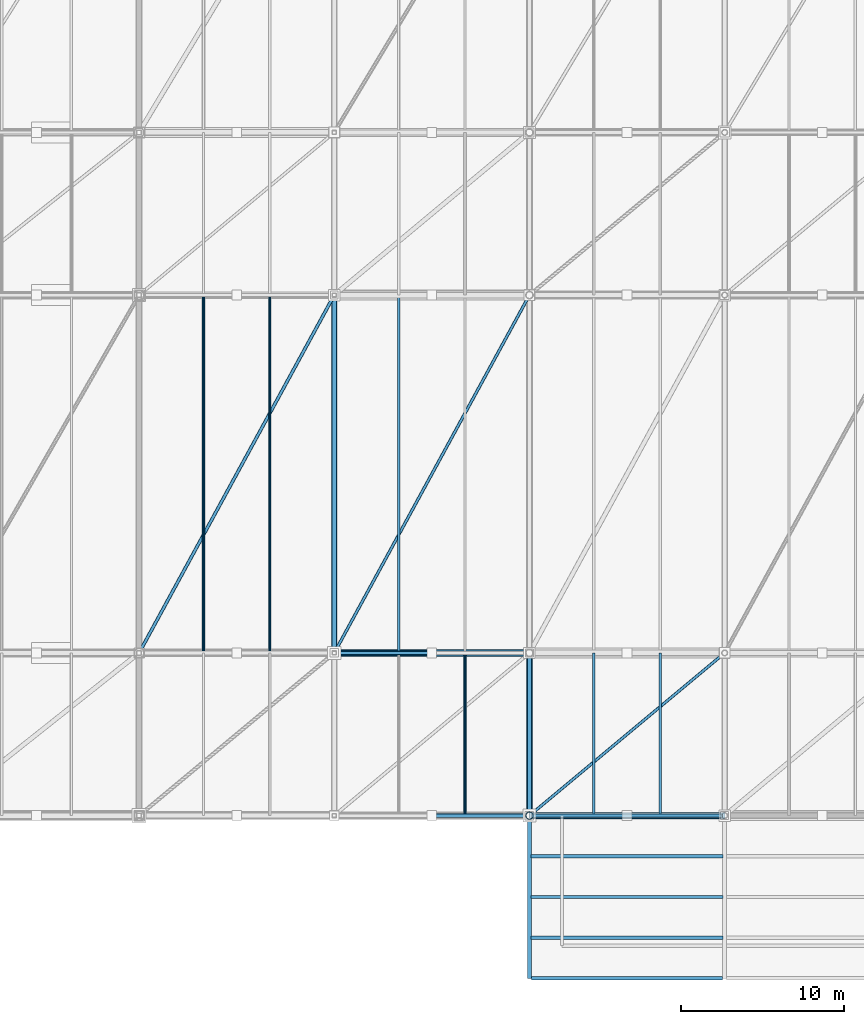
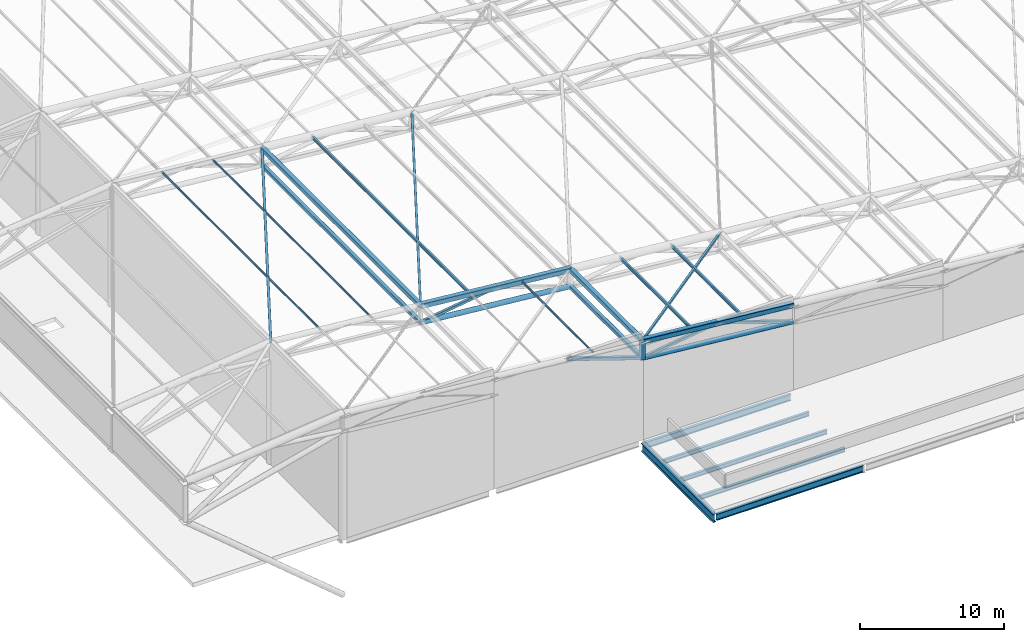
# One storey, part 8 of 44: 22 members, 6 beams.
"""IFC4 building model written with IfcOpenShell, lengths in metres."""

from ifc_helpers import new_model, si_unit, direction, frame, origin, origin_2d, place, context, subcontext, project, spatial, hollow_rectangle, hollow_circle, i_section, extrude, material, material_profile, profile_set, type_object, element, save


model = new_model("IFC4")

# Units and contexts
model_context = context("Model", 3, precision=1e-05, world=origin(), true_north=direction((0.0, 1.0)))
body_context = subcontext(model_context, "Body", "Model", "MODEL_VIEW")
ifc_project = project(units=[si_unit("LENGTHUNIT", "METRE"), si_unit("AREAUNIT", "SQUARE_METRE"), si_unit("VOLUMEUNIT", "CUBIC_METRE"), si_unit("PLANEANGLEUNIT", "RADIAN"), si_unit("MASSUNIT", "GRAM", prefix="KILO")], contexts=[model_context])

# Site, building, storey
site_placement = place(None, origin())
site = spatial("IfcSite", under=ifc_project, at=site_placement, CompositionType="ELEMENT")
building_placement = place(site_placement, origin())
building = spatial("IfcBuilding", under=site, at=building_placement, Name="Brinegate Civic Arena", CompositionType="ELEMENT")
storey_placement = place(building_placement, frame((0.0, 0.0, 29.39990234375)))
storey = spatial("IfcBuildingStorey", under=building, at=storey_placement, Name="RF", CompositionType="ELEMENT", Elevation=29.39990234375)

# Beams
ifc_material = material(Name="Steel S355", Category="steel")
ifc_material_profile_1 = material_profile(ifc_material, i_section(OverallWidth=0.256103515625, OverallDepth=0.693115234375, WebThickness=0.014892578125, FlangeThickness=0.02392578125, FilletRadius=0.01806640625, at=origin_2d()), Name="W690X170")
ifc_profile_set_1 = profile_set([ifc_material_profile_1], Name="Steel S355")
beam_type_1 = type_object("IfcBeamType", Name="GIRDER-W690X170", PredefinedType="BEAM", material=ifc_profile_set_1)
beam_placement = place(storey_placement, frame((84.0, 0.0, -0.685791015625), z_axis=(0.0, 1.0, 0.0), x_axis=(-1.0, 0.0, 0.0)))
element("IfcBeam", 1, at=beam_placement, inside=storey, type_object=beam_type_1, Name="Portal Roof Girder PGY-20", PredefinedType="BEAM", context=body_context, shape_type="SweptSolid", body=[
    extrude(i_section(OverallWidth=0.256103515625, OverallDepth=0.693115234375, WebThickness=0.014892578125, FlangeThickness=0.02392578125, FilletRadius=0.01806640625, at=origin_2d()), origin(), (0.0, 0.0, 1.0), 10.0),
])
ifc_material_profile_2 = material_profile(ifc_material, i_section(OverallWidth=0.202880859375, OverallDepth=0.346923828125, WebThickness=0.008056640625, FlangeThickness=0.013916015625, FilletRadius=0.013916015625, at=origin_2d()), Name="W360X64")
ifc_profile_set_2 = profile_set([ifc_material_profile_2], Name="Steel S355")
beam_type_2 = type_object("IfcBeamType", Name="JOIST-W360X64", PredefinedType="JOIST", material=ifc_profile_set_2)
for number, where, z_axis, x_axis, name in (
    (2, (84.10791015625, 2.5, -0.512939453125), (1.0, 0.0, 0.0), (0.0, 1.0, 0.0), "Portal Roof Joist PJX-27"),
    (3, (84.10791015625, 5.0, -0.512939453125), (1.0, 0.0, 0.0), (0.0, 1.0, 0.0), "Portal Roof Joist PJX-28"),
    (4, (84.10791015625, 7.5, -0.512939453125), (1.0, 0.0, 0.0), (0.0, 1.0, 0.0), "Portal Roof Joist PJX-29"),
):
    element("IfcBeam", number, at=place(storey_placement, frame(where, z_axis=z_axis, x_axis=x_axis)), inside=storey, type_object=beam_type_2, Name=name, PredefinedType="JOIST", context=body_context, shape_type="SweptSolid", body=[
        extrude(i_section(OverallWidth=0.202880859375, OverallDepth=0.346923828125, WebThickness=0.008056640625, FlangeThickness=0.013916015625, FilletRadius=0.013916015625, at=origin_2d()), origin(), (0.0, 0.0, 1.0), 11.7841796875),
    ])

# Members
ifc_material_profile_3 = material_profile(ifc_material, hollow_circle(Radius=0.083984375, WallThickness=0.008056640625, at=origin_2d()), Name="CHS168X8")
ifc_profile_set_3 = profile_set([ifc_material_profile_3], Name="Steel S355")
member_type_1 = type_object("IfcMemberType", Name="RF-PURLIN-CHS168", PredefinedType="PURLIN", material=ifc_profile_set_3)
member_1_placement = place(storey_placement, frame((80.0400390625, 10.0, 8.7021484375), z_axis=(0.0, 1.0, 0.0), x_axis=(-1.0, 0.0, 0.0)))
element("IfcMember", 5, at=member_1_placement, inside=storey, type_object=member_type_1, Name="Roof Purlin RFP-006", PredefinedType="PURLIN", context=body_context, shape_type="SweptSolid", body=[
    extrude(hollow_circle(Radius=0.083984375, WallThickness=0.008056640625, at=origin_2d()), origin(), (0.0, 0.0, 1.0), 10.0),
])
for number, where, z_axis, x_axis, name in (
    (6, (63.9599609375, 20.0, 10.210205078125), (0.0, 1.0, 0.0), (-1.0, 0.0, 0.0), "Roof Purlin RFP-021"),
    (7, (68.0400390625, 20.0, 9.8271484375), (0.0, 1.0, 0.0), (-1.0, 0.0, 0.0), "Roof Purlin RFP-022"),
):
    element("IfcMember", number, at=place(storey_placement, frame(where, z_axis=z_axis, x_axis=x_axis)), inside=storey, type_object=member_type_1, Name=name, PredefinedType="PURLIN", context=body_context, shape_type="SweptSolid", body=[
        extrude(hollow_circle(Radius=0.083984375, WallThickness=0.008056640625, at=origin_2d()), origin(), (0.0, 0.0, 1.0), 22.0),
    ])
ifc_material_profile_4 = material_profile(ifc_material, i_section(OverallWidth=0.14794921875, OverallDepth=0.26611328125, WebThickness=0.008056640625, FlangeThickness=0.012939453125, FilletRadius=0.011962890625, at=origin_2d()), Name="W250X45")
ifc_profile_set_4 = profile_set([ifc_material_profile_4], Name="Steel S355")
member_type_2 = type_object("IfcMemberType", Name="RF-PURLIN-W250", PredefinedType="PURLIN", material=ifc_profile_set_4)
for number, where, z_axis, x_axis, name in (
    (8, (87.9599609375, 10.0, 7.9111328125), (0.0, 1.0, 0.0), (-1.0, 0.0, 0.0), "Roof Purlin RFP-007"),
    (9, (92.0400390625, 10.0, 7.528076171875), (0.0, 1.0, 0.0), (-1.0, 0.0, 0.0), "Roof Purlin RFP-008"),
):
    element("IfcMember", number, at=place(storey_placement, frame(where, z_axis=z_axis, x_axis=x_axis)), inside=storey, type_object=member_type_2, Name=name, PredefinedType="PURLIN", context=body_context, shape_type="SweptSolid", body=[
        extrude(i_section(OverallWidth=0.14794921875, OverallDepth=0.26611328125, WebThickness=0.008056640625, FlangeThickness=0.012939453125, FilletRadius=0.011962890625, at=origin_2d()), origin(), (0.0, 0.0, 1.0), 10.0),
    ])
member_2_placement = place(storey_placement, frame((75.9599609375, 20.0, 9.0361328125), z_axis=(0.0, 1.0, 0.0), x_axis=(-1.0, 0.0, 0.0)))
element("IfcMember", 10, at=member_2_placement, inside=storey, type_object=member_type_2, Name="Roof Purlin RFP-023", PredefinedType="PURLIN", context=body_context, shape_type="SweptSolid", body=[
    extrude(i_section(OverallWidth=0.14794921875, OverallDepth=0.26611328125, WebThickness=0.008056640625, FlangeThickness=0.012939453125, FilletRadius=0.011962890625, at=origin_2d()), origin(), (0.0, 0.0, 1.0), 22.0),
])
ifc_material_profile_5 = material_profile(ifc_material, hollow_rectangle(XDim=0.179931640625, YDim=0.179931640625, WallThickness=0.010009765625, InnerFilletRadius=0.010009765625, OuterFilletRadius=0.02001953125, at=origin_2d()), Name="SHS180X10")
ifc_profile_set_5 = profile_set([ifc_material_profile_5], Name="Steel S355")
member_type_3 = type_object("IfcMemberType", Name="SF-BRACE-SHS180", PredefinedType="BRACE", material=ifc_profile_set_5)
member_3_placement = place(storey_placement, frame((84.0, 10.0, 8.300048828125), z_axis=(0.766236619907, 0.638530516589, -0.071834683116), x_axis=(-0.640184399664, 0.768221279597, 0.0)))
element("IfcMember", 11, at=member_3_placement, inside=storey, type_object=member_type_3, Name="Roof Plan Diagonal Brace PL-1-4", PredefinedType="BRACE", context=body_context, shape_type="SweptSolid", body=[
    extrude(hollow_rectangle(XDim=0.179931640625, YDim=0.179931640625, WallThickness=0.010009765625, InnerFilletRadius=0.010009765625, OuterFilletRadius=0.02001953125, at=origin_2d()), origin(), (0.0, 0.0, 1.0), 15.660888671875),
])
member_4_placement = place(storey_placement, frame((72.0, 20.0, 9.425048828125), z_axis=(0.478370337109, 0.877012284699, -0.044847219104), x_axis=(-0.877895572914, 0.478852130681, 0.0)))
element("IfcMember", 12, at=member_4_placement, inside=storey, type_object=member_type_3, Name="Roof Plan Diagonal Brace PL-2-3", PredefinedType="BRACE", context=body_context, shape_type="SweptSolid", body=[
    extrude(hollow_rectangle(XDim=0.179931640625, YDim=0.179931640625, WallThickness=0.010009765625, InnerFilletRadius=0.010009765625, OuterFilletRadius=0.02001953125, at=origin_2d()), origin(), (0.0, 0.0, 1.0), 25.085205078125),
])
ifc_material_profile_6 = material_profile(ifc_material, hollow_rectangle(XDim=0.199951171875, YDim=0.199951171875, WallThickness=0.010009765625, InnerFilletRadius=0.010009765625, OuterFilletRadius=0.02001953125, at=origin_2d()), Name="SHS200X10")
ifc_profile_set_6 = profile_set([ifc_material_profile_6], Name="Steel S355")
member_type_4 = type_object("IfcMemberType", Name="SF-BRACE-SHS200", PredefinedType="BRACE", material=ifc_profile_set_6)
member_5_placement = place(storey_placement, frame((60.0, 20.0, 10.550048828125), z_axis=(0.478370337109, 0.877012284699, -0.044847219104), x_axis=(-0.877895572914, 0.478852130681, 0.0)))
element("IfcMember", 13, at=member_5_placement, inside=storey, type_object=member_type_4, Name="Roof Plan Diagonal Brace PL-2-2", PredefinedType="BRACE", context=body_context, shape_type="SweptSolid", body=[
    extrude(hollow_rectangle(XDim=0.199951171875, YDim=0.199951171875, WallThickness=0.010009765625, InnerFilletRadius=0.010009765625, OuterFilletRadius=0.02001953125, at=origin_2d()), origin(), (0.0, 0.0, 1.0), 25.085205078125),
])
ifc_material_profile_7 = material_profile(ifc_material, hollow_rectangle(XDim=0.219970703125, YDim=0.219970703125, WallThickness=0.011962890625, InnerFilletRadius=0.011962890625, OuterFilletRadius=0.02392578125, at=origin_2d()), Name="SHS220X12")
ifc_profile_set_7 = profile_set([ifc_material_profile_7], Name="Steel S355")
member_type_5 = type_object("IfcMemberType", Name="SF-BRACE-SHS220", PredefinedType="BRACE", material=ifc_profile_set_7)
member_6_placement = place(storey_placement, frame((84.0, 10.0, 6.85009765625), z_axis=(0.989226142737, 0.0, 0.1463954867), x_axis=(0.0, 1.0, 0.0)))
element("IfcMember", 14, at=member_6_placement, inside=storey, type_object=member_type_5, Name="Space Frame Web Brace D1-1-4", PredefinedType="BRACE", context=body_context, shape_type="SweptSolid", body=[
    extrude(hollow_rectangle(XDim=0.219970703125, YDim=0.219970703125, WallThickness=0.011962890625, InnerFilletRadius=0.011962890625, OuterFilletRadius=0.02392578125, at=origin_2d()), origin(), (0.0, 0.0, 1.0), 6.0654296875),
])
member_7_placement = place(storey_placement, frame((90.0, 10.0, 7.738037109375), z_axis=(0.948068139281, 0.0, -0.318067293635), x_axis=(0.0, 1.0, 0.0)))
element("IfcMember", 15, at=member_7_placement, inside=storey, type_object=member_type_5, Name="Space Frame Web Brace D2-1-4", PredefinedType="BRACE", context=body_context, shape_type="SweptSolid", body=[
    extrude(hollow_rectangle(XDim=0.219970703125, YDim=0.219970703125, WallThickness=0.011962890625, InnerFilletRadius=0.011962890625, OuterFilletRadius=0.02392578125, at=origin_2d()), origin(), (0.0, 0.0, 1.0), 6.32861328125),
])
member_8_placement = place(storey_placement, frame((72.0, 20.0, 7.97509765625), z_axis=(0.989226142737, 0.0, 0.1463954867), x_axis=(0.0, 1.0, 0.0)))
element("IfcMember", 16, at=member_8_placement, inside=storey, type_object=member_type_5, Name="Space Frame Web Brace D1-2-3", PredefinedType="BRACE", context=body_context, shape_type="SweptSolid", body=[
    extrude(hollow_rectangle(XDim=0.219970703125, YDim=0.219970703125, WallThickness=0.011962890625, InnerFilletRadius=0.011962890625, OuterFilletRadius=0.02392578125, at=origin_2d()), origin(), (0.0, 0.0, 1.0), 6.0654296875),
])
ifc_material_profile_8 = material_profile(ifc_material, hollow_rectangle(XDim=0.25, YDim=0.25, WallThickness=0.011962890625, InnerFilletRadius=0.011962890625, OuterFilletRadius=0.02392578125, at=origin_2d()), Name="SHS250X12")
ifc_profile_set_8 = profile_set([ifc_material_profile_8], Name="Steel S355")
member_type_6 = type_object("IfcMemberType", Name="SF-BRACE-SHS250", PredefinedType="BRACE", material=ifc_profile_set_8)
member_9_placement = place(storey_placement, frame((78.0, 10.0, 8.863037109375), z_axis=(0.948068139281, 0.0, -0.318067293635), x_axis=(0.0, 1.0, 0.0)))
element("IfcMember", 17, at=member_9_placement, inside=storey, type_object=member_type_6, Name="Space Frame Web Brace D2-1-3", PredefinedType="BRACE", context=body_context, shape_type="SweptSolid", body=[
    extrude(hollow_rectangle(XDim=0.25, YDim=0.25, WallThickness=0.011962890625, InnerFilletRadius=0.011962890625, OuterFilletRadius=0.02392578125, at=origin_2d()), origin(), (0.0, 0.0, 1.0), 6.32861328125),
])
ifc_material_profile_9 = material_profile(ifc_material, hollow_circle(Radius=0.202880859375, WallThickness=0.01611328125, at=origin_2d()), Name="CHS406X16")
ifc_profile_set_9 = profile_set([ifc_material_profile_9], Name="Steel S355")
member_type_7 = type_object("IfcMemberType", Name="SF-CHORD-CHS406", PredefinedType="CHORD", material=ifc_profile_set_9)
for number, where, z_axis, x_axis, name in (
    (18, (84.0, 10.0, 6.85009765625), (0.995634226059, 0.0, -0.093340708693), (0.0, 1.0, 0.0), "Space Frame Bottom Chord BX-1-4"),
    (19, (72.0, 20.0, 7.97509765625), (0.995634226059, 0.0, -0.093340708693), (0.0, 1.0, 0.0), "Space Frame Bottom Chord BX-2-3"),
):
    element("IfcMember", number, at=place(storey_placement, frame(where, z_axis=z_axis, x_axis=x_axis)), inside=storey, type_object=member_type_7, Name=name, PredefinedType="CHORD", context=body_context, shape_type="SweptSolid", body=[
        extrude(hollow_circle(Radius=0.202880859375, WallThickness=0.01611328125, at=origin_2d()), origin(), (0.0, 0.0, 1.0), 12.052734375),
    ])
ifc_material_profile_10 = material_profile(ifc_material, hollow_rectangle(XDim=0.300048828125, YDim=0.300048828125, WallThickness=0.01611328125, InnerFilletRadius=0.01611328125, OuterFilletRadius=0.031982421875, at=origin_2d()), Name="SHS300X16")
ifc_profile_set_10 = profile_set([ifc_material_profile_10], Name="Steel S355")
member_type_8 = type_object("IfcMemberType", Name="SF-CHORD-SHS300", PredefinedType="CHORD", material=ifc_profile_set_10)
member_10_placement = place(storey_placement, frame((84.0, 10.0, 6.85009765625), z_axis=(0.0, 1.0, 0.0), x_axis=(-1.0, 0.0, 0.0)))
element("IfcMember", 20, at=member_10_placement, inside=storey, type_object=member_type_8, Name="Space Frame Cross Bottom Chord BY-1-4", PredefinedType="CHORD", context=body_context, shape_type="SweptSolid", body=[
    extrude(hollow_rectangle(XDim=0.300048828125, YDim=0.300048828125, WallThickness=0.01611328125, InnerFilletRadius=0.01611328125, OuterFilletRadius=0.031982421875, at=origin_2d()), origin(), (0.0, 0.0, 1.0), 10.0),
])
member_11_placement = place(storey_placement, frame((72.0, 20.0, 7.97509765625), z_axis=(0.0, 1.0, 0.0), x_axis=(-1.0, 0.0, 0.0)))
element("IfcMember", 21, at=member_11_placement, inside=storey, type_object=member_type_8, Name="Space Frame Cross Bottom Chord BY-2-3", PredefinedType="CHORD", context=body_context, shape_type="SweptSolid", body=[
    extrude(hollow_rectangle(XDim=0.300048828125, YDim=0.300048828125, WallThickness=0.01611328125, InnerFilletRadius=0.01611328125, OuterFilletRadius=0.031982421875, at=origin_2d()), origin(), (0.0, 0.0, 1.0), 22.0),
])
ifc_material_profile_11 = material_profile(ifc_material, hollow_rectangle(XDim=0.35009765625, YDim=0.35009765625, WallThickness=0.01611328125, InnerFilletRadius=0.01611328125, OuterFilletRadius=0.031982421875, at=origin_2d()), Name="SHS350X16")
ifc_profile_set_11 = profile_set([ifc_material_profile_11], Name="Steel S355")
member_type_9 = type_object("IfcMemberType", Name="SF-CHORD-SHS350", PredefinedType="CHORD", material=ifc_profile_set_11)
member_12_placement = place(storey_placement, frame((84.0, 10.0, 8.300048828125), z_axis=(0.0, 1.0, 0.0), x_axis=(-1.0, 0.0, 0.0)))
element("IfcMember", 22, at=member_12_placement, inside=storey, type_object=member_type_9, Name="Space Frame Cross Top Chord TY-1-4", PredefinedType="CHORD", context=body_context, shape_type="SweptSolid", body=[
    extrude(hollow_rectangle(XDim=0.35009765625, YDim=0.35009765625, WallThickness=0.01611328125, InnerFilletRadius=0.01611328125, OuterFilletRadius=0.031982421875, at=origin_2d()), origin(), (0.0, 0.0, 1.0), 10.0),
])
member_13_placement = place(storey_placement, frame((72.0, 20.0, 9.425048828125), z_axis=(0.0, 1.0, 0.0), x_axis=(-1.0, 0.0, 0.0)))
element("IfcMember", 23, at=member_13_placement, inside=storey, type_object=member_type_9, Name="Space Frame Cross Top Chord TY-2-3", PredefinedType="CHORD", context=body_context, shape_type="SweptSolid", body=[
    extrude(hollow_rectangle(XDim=0.35009765625, YDim=0.35009765625, WallThickness=0.01611328125, InnerFilletRadius=0.01611328125, OuterFilletRadius=0.031982421875, at=origin_2d()), origin(), (0.0, 0.0, 1.0), 22.0),
])
ifc_material_profile_12 = material_profile(ifc_material, hollow_rectangle(XDim=0.39990234375, YDim=0.39990234375, WallThickness=0.02001953125, InnerFilletRadius=0.02001953125, OuterFilletRadius=0.0400390625, at=origin_2d()), Name="SHS400X20")
ifc_profile_set_12 = profile_set([ifc_material_profile_12], Name="Steel S355")
member_type_10 = type_object("IfcMemberType", Name="SF-CHORD-SHS400", PredefinedType="CHORD", material=ifc_profile_set_12)
for number, where, z_axis, x_axis, name in (
    (24, (84.0, 10.0, 8.300048828125), (0.995634226059, 0.0, -0.093340708693), (0.0, 1.0, 0.0), "Space Frame Top Chord TX-1-4"),
    (25, (72.0, 20.0, 9.425048828125), (0.995634226059, 0.0, -0.093340708693), (0.0, 1.0, 0.0), "Space Frame Top Chord TX-2-3"),
):
    element("IfcMember", number, at=place(storey_placement, frame(where, z_axis=z_axis, x_axis=x_axis)), inside=storey, type_object=member_type_10, Name=name, PredefinedType="CHORD", context=body_context, shape_type="SweptSolid", body=[
        extrude(hollow_rectangle(XDim=0.39990234375, YDim=0.39990234375, WallThickness=0.02001953125, InnerFilletRadius=0.02001953125, OuterFilletRadius=0.0400390625, at=origin_2d()), origin(), (0.0, 0.0, 1.0), 12.052734375),
    ])
ifc_material_profile_13 = material_profile(ifc_material, hollow_circle(Radius=0.228515625, WallThickness=0.01611328125, at=origin_2d()), Name="CHS457X16")
ifc_profile_set_13 = profile_set([ifc_material_profile_13], Name="Steel S355")
member_type_11 = type_object("IfcMemberType", Name="SF-STRUT-CHS457", PredefinedType="STRUT", material=ifc_profile_set_13)
member_14_placement = place(storey_placement, frame((84.0, 10.0, 6.85009765625), z_axis=(0.0, 0.0, 1.0), x_axis=(1.0, 0.0, 0.0)))
element("IfcMember", 26, at=member_14_placement, inside=storey, type_object=member_type_11, Name="Space Frame Vertical Post V-1-4", PredefinedType="STRUT", context=body_context, shape_type="SweptSolid", body=[
    extrude(hollow_circle(Radius=0.228515625, WallThickness=0.01611328125, at=origin_2d()), origin(), (0.0, 0.0, 1.0), 1.449951171875),
])

# Beams
ifc_material_profile_14 = material_profile(ifc_material, i_section(OverallWidth=0.2119140625, OverallDepth=0.5439453125, WebThickness=0.012939453125, FlangeThickness=0.02099609375, FilletRadius=0.01611328125, at=origin_2d()), Name="W530X123")
ifc_profile_set_14 = profile_set([ifc_material_profile_14], Name="Steel S355")
beam_type_3 = type_object("IfcBeamType", Name="SPANDREL-W530X123", PredefinedType="SPANDREL", material=ifc_profile_set_14)
for number, where, z_axis, x_axis, name in (
    (27, (84.1298828125, 0.0, -0.61181640625), (1.0, 0.0, 0.0), (0.0, 1.0, 0.0), "Portal Roof Spandrel PGX-25"),
    (28, (84.1298828125, 10.0, -0.61181640625), (1.0, 0.0, 0.0), (0.0, 1.0, 0.0), "Portal Roof Spandrel PGX-26"),
):
    element("IfcBeam", number, at=place(storey_placement, frame(where, z_axis=z_axis, x_axis=x_axis)), inside=storey, type_object=beam_type_3, Name=name, PredefinedType="SPANDREL", context=body_context, shape_type="SweptSolid", body=[
        extrude(i_section(OverallWidth=0.2119140625, OverallDepth=0.5439453125, WebThickness=0.012939453125, FlangeThickness=0.02099609375, FilletRadius=0.01611328125, at=origin_2d()), origin(), (0.0, 0.0, 1.0), 11.740234375),
    ])

save(model, "model.ifc")
